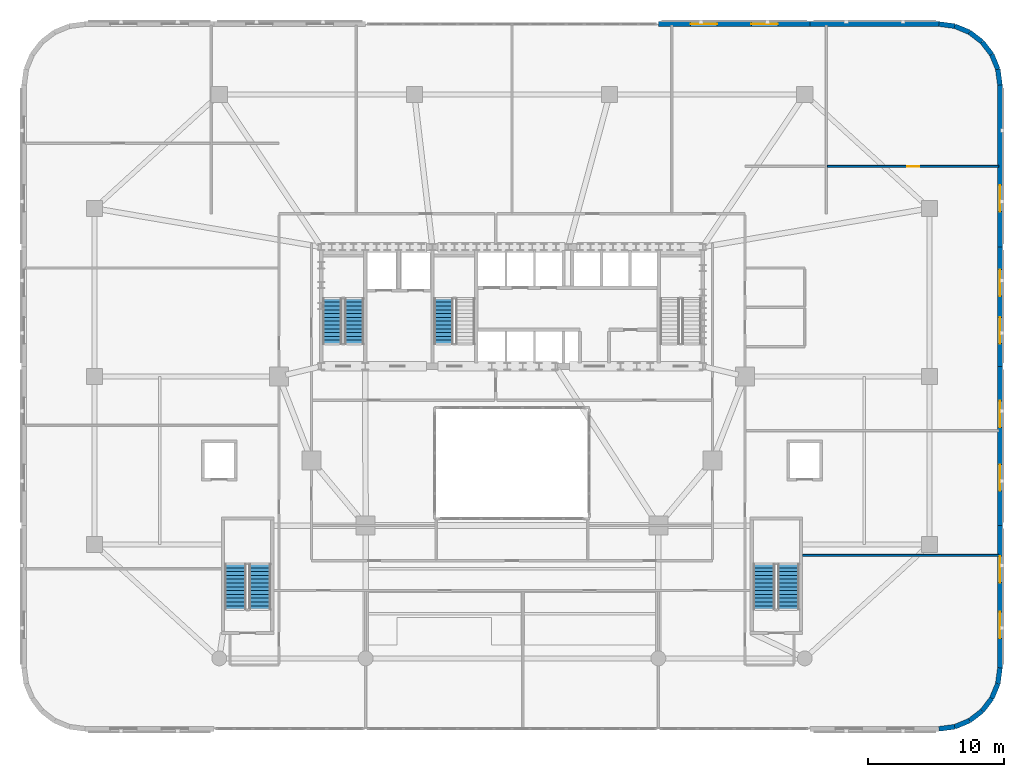
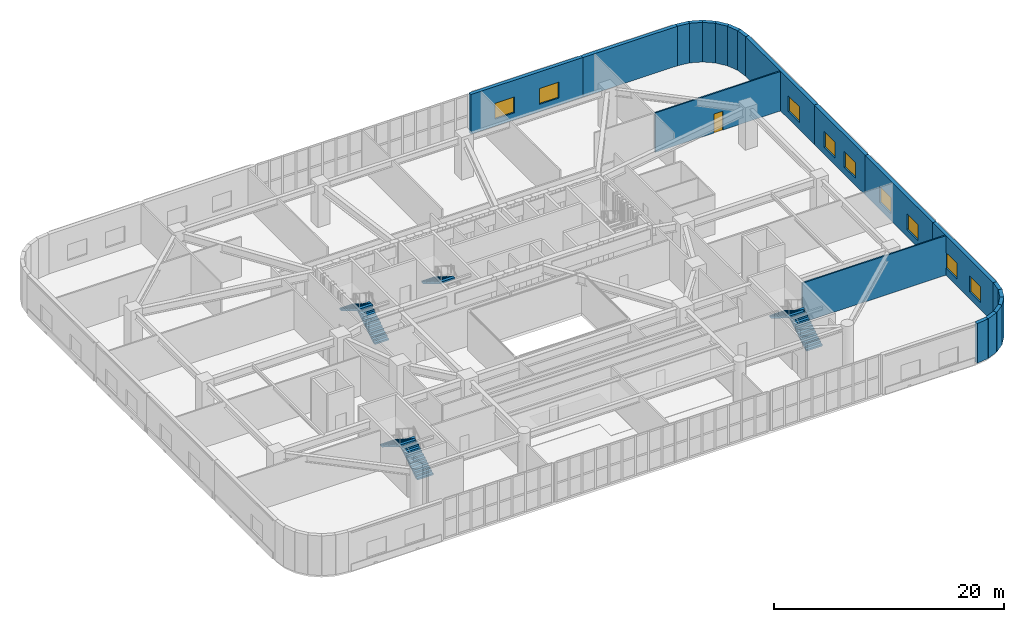
# One storey, part 17 of 25: 20 walls, 9 windows, 7 stair flights, 1 door, 10 openings, 4 elements without a shape of their own.
"""IFC4 building model written with IfcOpenShell, lengths in metres."""

import ifcopenshell
import ifcopenshell.guid

model = None  # the IFC model being written
_history = None  # IfcOwnerHistory: only IFC2X3 demands one
_inside = {}  # id of a spatial element -> (the spatial element, [elements in it])
_under = {}  # id of a project, library or spatial element -> (it, [spatial elements below it])
_declared = {}  # id of a project -> (the project, [libraries it declares])
_typed = {}  # id of a type object -> (the type object, [elements of that type])
_made_of = {}  # id of a material, layer set ... -> (it, [elements and type objects made of it])


def new_model(schema):
    """Start an empty IFC model of exactly this schema.

    Asked for "IFC4X3", IfcOpenShell would pick the latest addendum, in which some entities
    have other attributes; the version numbers below select the first issue.
    IFC2X3 requires an IfcOwnerHistory on every rooted entity: one is made here for all.
    """
    global model, _history
    if schema == "IFC4X3":
        model = ifcopenshell.file(schema_version=(4, 3, 0, 0))
    else:
        model = ifcopenshell.file(schema=schema)
    _inside.clear()
    _under.clear()
    _declared.clear()
    _typed.clear()
    _made_of.clear()
    _history = None
    if model.schema == "IFC2X3":
        org = make("IfcOrganization", Name="unknown")
        user = make(
            "IfcPersonAndOrganization",
            ThePerson=make("IfcPerson", FamilyName="unknown"),
            TheOrganization=org,
        )
        app = make(
            "IfcApplication",
            ApplicationDeveloper=org,
            Version="unknown",
            ApplicationFullName="unknown",
            ApplicationIdentifier="unknown",
        )
        _history = make(
            "IfcOwnerHistory",
            OwningUser=user,
            OwningApplication=app,
            ChangeAction="ADDED",
            CreationDate=0,
        )
    return model


def make(cls, **values):
    """One entity of the class cls with the attributes given. An attribute that is None is left unset."""
    return model.create_entity(
        cls, **{name: value for name, value in values.items() if value is not None}
    )


def rooted(cls, **values):
    """An entity with a GlobalId (a new one), such as an element, a storey or a relation."""
    return make(cls, GlobalId=ifcopenshell.guid.new(), OwnerHistory=_history, **values)


def si_unit(unit_type, name, prefix=None):
    """IfcSIUnit, for example si_unit("LENGTHUNIT", "METRE", prefix="MILLI")."""
    return make("IfcSIUnit", UnitType=unit_type, Prefix=prefix, Name=name)


def assignment(units):
    """IfcUnitAssignment: the units of a project."""
    return None if units is None else make("IfcUnitAssignment", Units=units)


def point(xyz):
    """IfcCartesianPoint."""
    return None if xyz is None else make("IfcCartesianPoint", Coordinates=xyz)


def direction(xyz):
    """IfcDirection."""
    return None if xyz is None else make("IfcDirection", DirectionRatios=xyz)


def frame(location, z_axis=None, x_axis=None):
    """IfcAxis2Placement3D, a coordinate frame: its origin and axes. An axis left out is left unset."""
    return make(
        "IfcAxis2Placement3D",
        Location=point(location),
        Axis=direction(z_axis),
        RefDirection=direction(x_axis),
    )


def frame_2d(location, x_axis=None):
    """IfcAxis2Placement2D, a coordinate frame in the plane: its origin and x axis."""
    return make(
        "IfcAxis2Placement2D", Location=point(location), RefDirection=direction(x_axis)
    )


def origin():
    """The frame at (0, 0, 0) with its axes left unset."""
    return frame((0.0, 0.0, 0.0))


def place(relative_to, where):
    """IfcLocalPlacement: puts the frame where relative to a parent placement (None: the world)."""
    return make(
        "IfcLocalPlacement", PlacementRelTo=relative_to, RelativePlacement=where
    )


def context(
    kind, dimensions, precision=None, world=None, true_north=None, identifier=None
):
    """IfcGeometricRepresentationContext, for example the 3D "Model" context."""
    return make(
        "IfcGeometricRepresentationContext",
        ContextIdentifier=identifier,
        ContextType=kind,
        CoordinateSpaceDimension=dimensions,
        Precision=precision,
        WorldCoordinateSystem=world,
        TrueNorth=true_north,
    )


def subcontext(parent, identifier, kind, view, scale=None):
    """IfcGeometricRepresentationSubContext, for example "Body" below "Model"."""
    return make(
        "IfcGeometricRepresentationSubContext",
        ContextIdentifier=identifier,
        ContextType=kind,
        ParentContext=parent,
        TargetScale=scale,
        TargetView=view,
    )


def project(units=None, contexts=None):
    """IfcProject with its units and contexts."""
    return rooted(
        "IfcProject",
        Name="project",
        RepresentationContexts=contexts,
        UnitsInContext=assignment(units),
    )


def spatial(cls, under=None, at=None, **own):
    """A site, building, storey or space (cls), placed at a placement, below another one or the project."""
    s = rooted(cls, ObjectPlacement=at, **own)
    if under is not None:
        _under.setdefault(under.id(), (under, []))[1].append(s)
    return s


def polyline(points):
    """IfcPolyline through the points."""
    return make("IfcPolyline", Points=[point(p) for p in points])


def profile(cls, at=None, kind="AREA", **sizes):
    """A parametric profile (cls). Its sizes go by their IFC names, for example OverallWidth=200.0."""
    return make(cls, ProfileType=kind, Position=at, **sizes)


def rectangle(**sizes):
    """IfcRectangleProfileDef."""
    return profile("IfcRectangleProfileDef", **sizes)


def outline(outer, holes=None, kind="AREA"):
    """IfcArbitraryClosedProfileDef: a profile drawn as a closed curve; with holes, ...WithVoids."""
    if holes is None:
        return make("IfcArbitraryClosedProfileDef", ProfileType=kind, OuterCurve=outer)
    return make(
        "IfcArbitraryProfileDefWithVoids",
        ProfileType=kind,
        OuterCurve=outer,
        InnerCurves=holes,
    )


def extrude(swept, where, along, depth):
    """IfcExtrudedAreaSolid: the profile swept, set in the frame where, extruded along a direction by depth."""
    return make(
        "IfcExtrudedAreaSolid",
        SweptArea=swept,
        Position=where,
        ExtrudedDirection=direction(along),
        Depth=depth,
    )


def shape(context_of_items, identifier, shape_type, items):
    """IfcShapeRepresentation: the items that make up one representation, for example the "Body"."""
    return make(
        "IfcShapeRepresentation",
        ContextOfItems=context_of_items,
        RepresentationIdentifier=identifier,
        RepresentationType=shape_type,
        Items=items,
    )


def material(Name=None, Category=None):
    """IfcMaterial."""
    return make("IfcMaterial", Name=Name, Category=Category)


def layer(
    of_material, thickness, ventilated=None, Name=None, Category=None, Priority=None
):
    """IfcMaterialLayer: one layer of a wall or slab, of a material (None: an air gap)."""
    return make(
        "IfcMaterialLayer",
        Material=of_material,
        LayerThickness=thickness,
        IsVentilated=ventilated,
        Name=Name,
        Category=Category,
        Priority=Priority,
    )


def layer_set(layers, Name=None):
    """IfcMaterialLayerSet."""
    return make("IfcMaterialLayerSet", MaterialLayers=layers, LayerSetName=Name)


def made_of(thing, what):
    """Note that an element or type object is made of a material, layer set ...; save() writes the relation."""
    if what is not None:
        _made_of.setdefault(what.id(), (what, []))[1].append(thing)
    return thing


def type_object(cls, material=None, **own):
    """A type object (cls), such as IfcWallType, which elements share."""
    return made_of(rooted(cls, **own), material)


def element(
    cls,
    number,
    at=None,
    inside=None,
    cuts=None,
    type_object=None,
    material=None,
    context=None,
    identifier="Body",
    shape_type=None,
    held_by="IfcProductDefinitionShape",
    body=None,
    shapes=None,
    **own,
):
    """One element of the class cls, such as IfcWall. Its Tag is "e" and its number.

    at: its placement. inside: the storey or other place that contains it. cuts: it is an
    opening in that element (IfcRelVoidsElement). A single representation is given by context,
    identifier, shape_type and body (its items); several are given by shapes. held_by: the class
    of the entity that holds the representations. save() writes the other relations.
    """
    e = rooted(cls, Tag="e%d" % number, ObjectPlacement=at, **own)
    if body is not None:
        shapes = [shape(context, identifier, shape_type, body)]
    if shapes is not None:
        e.Representation = make(held_by, Representations=shapes)
    if inside is not None:
        _inside.setdefault(inside.id(), (inside, []))[1].append(e)
    if cuts is not None:
        rooted(
            "IfcRelVoidsElement", RelatingBuildingElement=cuts, RelatedOpeningElement=e
        )
    if type_object is not None:
        _typed.setdefault(type_object.id(), (type_object, []))[1].append(e)
    return made_of(e, material)


def fill(opening, filler):
    """IfcRelFillsElement: the door or window that sits in an opening."""
    return rooted(
        "IfcRelFillsElement",
        RelatingOpeningElement=opening,
        RelatedBuildingElement=filler,
    )


def aggregate(whole, parts):
    """IfcRelAggregates: a whole, such as a stair, and the parts it consists of."""
    return rooted("IfcRelAggregates", RelatingObject=whole, RelatedObjects=parts)


def save(model, path):
    """Write the relations noted so far, then the file.

    IfcRelAggregates (storeys below a building ...), IfcRelContainedInSpatialStructure (elements
    in a storey), IfcRelDefinesByType, IfcRelAssociatesMaterial and IfcRelDeclares: one each for
    every whole, place, type object, material and project.
    """
    for whole, parts in _under.values():
        aggregate(whole, parts)
    for where, things in _inside.values():
        rooted(
            "IfcRelContainedInSpatialStructure",
            RelatedElements=things,
            RelatingStructure=where,
        )
    for kind, things in _typed.values():
        rooted("IfcRelDefinesByType", RelatedObjects=things, RelatingType=kind)
    for what, things in _made_of.values():
        rooted("IfcRelAssociatesMaterial", RelatedObjects=things, RelatingMaterial=what)
    for by, libraries in _declared.values():
        rooted("IfcRelDeclares", RelatingContext=by, RelatedDefinitions=libraries)
    model.write(path)


model = new_model("IFC4")

# Units and contexts
model_context = context("Model", 3, precision=1e-05, world=origin(), true_north=direction((0.0, 1.0)))
body_context = subcontext(model_context, "Body", "Model", "MODEL_VIEW")
ifc_project = project(units=[si_unit("LENGTHUNIT", "METRE"), si_unit("AREAUNIT", "SQUARE_METRE"), si_unit("VOLUMEUNIT", "CUBIC_METRE"), si_unit("PLANEANGLEUNIT", "RADIAN"), si_unit("MASSUNIT", "GRAM", prefix="KILO")], contexts=[model_context])

# Site, building, storey
site_placement = place(None, origin())
site = spatial("IfcSite", under=ifc_project, at=site_placement, CompositionType="ELEMENT")
building_placement = place(site_placement, origin())
building = spatial("IfcBuilding", under=site, at=building_placement, Name="Haldorwick Loom Tower", CompositionType="ELEMENT")
storey_placement = place(building_placement, frame((0.0, 0.0, 10.5)))
storey = spatial("IfcBuildingStorey", under=building, at=storey_placement, Name="L02", CompositionType="ELEMENT", Elevation=10.5)

# Walls
ifc_material_1 = material(Name="Pressed Clay Face Brick and Insulated Masonry Backup Assembly", Category="masonry")
ifc_layer_1 = layer(ifc_material_1, 0.360107421875, Name="Pressed Clay Face Brick and Insulated Masonry Backup Assembly", Category="masonry")
ifc_layer_set_1 = layer_set([ifc_layer_1], Name="Pressed Clay Face Brick and Insulated Masonry Backup Assembly")
wall_type_1 = type_object("IfcWallType", Name="ARC-WL-EXT360", PredefinedType="STANDARD", material=ifc_layer_set_1)
wall_1_placement = place(storey_placement, frame((67.5, 0.0, 0.0), z_axis=(0.0, 0.0, 1.0), x_axis=(0.991447928588, 0.130502892298, 0.0)))
element("IfcWall", 1, at=wall_1_placement, inside=storey, type_object=wall_type_1, Name="L02 Brick Pier and Spandrel Wall 1", PredefinedType="STANDARD", context=body_context, shape_type="SweptSolid", body=[
    extrude(rectangle(XDim=1.1748046875, YDim=0.360107421875, at=frame_2d((0.58740234375, 0.0))), origin(), (0.0, 0.0, 1.0), 4.199951171875),
])
wall_2_placement = place(storey_placement, frame((68.664794921875, 0.1533203125, 0.0), z_axis=(0.0, 0.0, 1.0), x_axis=(0.923892706888, 0.382651625058, 0.0)))
element("IfcWall", 2, at=wall_2_placement, inside=storey, type_object=wall_type_1, Name="L02 Brick Pier and Spandrel Wall 2", PredefinedType="STANDARD", context=body_context, shape_type="SweptSolid", body=[
    extrude(rectangle(XDim=1.174560546875, YDim=0.360107421875, at=frame_2d((0.58740234375, 0.0))), origin(), (0.0, 0.0, 1.0), 4.199951171875),
])
for number, where, z_axis, x_axis, name in (
    (3, (69.75, 0.602783203125, 0.0), (0.0, 0.0, 1.0), (0.79324162823, 0.60890698735, 0.0), "L02 Brick Pier and Spandrel Wall 3"),
    (4, (70.681884765625, 1.318115234375, 0.0), (0.0, 0.0, 1.0), (0.60890698735, 0.79324162823, 0.0), "L02 Brick Pier and Spandrel Wall 4"),
):
    element("IfcWall", number, at=place(storey_placement, frame(where, z_axis=z_axis, x_axis=x_axis)), inside=storey, type_object=wall_type_1, Name=name, PredefinedType="STANDARD", context=body_context, shape_type="SweptSolid", body=[
        extrude(rectangle(XDim=1.1748046875, YDim=0.360107421875, at=frame_2d((0.58740234375, 0.0))), origin(), (0.0, 0.0, 1.0), 4.199951171875),
    ])
wall_3_placement = place(storey_placement, frame((71.397216796875, 2.25, 0.0), z_axis=(0.0, 0.0, 1.0), x_axis=(0.382651625058, 0.923892706888, 0.0)))
element("IfcWall", 5, at=wall_3_placement, inside=storey, type_object=wall_type_1, Name="L02 Brick Pier and Spandrel Wall 5", PredefinedType="STANDARD", context=body_context, shape_type="SweptSolid", body=[
    extrude(rectangle(XDim=1.174560546875, YDim=0.360107421875, at=frame_2d((0.58740234375, 0.0))), origin(), (0.0, 0.0, 1.0), 4.199951171875),
])
wall_4_placement = place(storey_placement, frame((71.8466796875, 3.335205078125, 0.0), z_axis=(0.0, 0.0, 1.0), x_axis=(0.130502892298, 0.991447928588, 0.0)))
element("IfcWall", 6, at=wall_4_placement, inside=storey, type_object=wall_type_1, Name="L02 Brick Pier and Spandrel Wall 6", PredefinedType="STANDARD", context=body_context, shape_type="SweptSolid", body=[
    extrude(rectangle(XDim=1.1748046875, YDim=0.360107421875, at=frame_2d((0.58740234375, 0.0))), origin(), (0.0, 0.0, 1.0), 4.199951171875),
])

# Wall, openings, windows
wall_5_placement = place(storey_placement, frame((72.0, 4.5, 0.0), z_axis=(0.0, 0.0, 1.0), x_axis=(0.0, 1.0, 0.0)))
wall_5 = element("IfcWall", 7, at=wall_5_placement, inside=storey, type_object=wall_type_1, Name="L02 Brick Pier and Spandrel Wall 7", PredefinedType="STANDARD", context=body_context, shape_type="SweptSolid", body=[
    extrude(rectangle(XDim=10.5, YDim=0.360107421875, at=frame_2d((5.25, 0.0))), origin(), (0.0, 0.0, 1.0), 4.199951171875),
])
opening_1_placement = place(wall_5_placement, frame((2.175048828125, 0.0, 0.75)))
opening_1 = element("IfcOpeningElement", 8, at=opening_1_placement, cuts=wall_5, Name="Opening W-04B", PredefinedType="OPENING", context=body_context, shape_type="SweptSolid", body=[
    extrude(rectangle(XDim=1.949951171875, YDim=1.679931640625, at=frame_2d((0.97509765625, 0.83984375))), frame((0.0, 0.18994140625, 0.0), z_axis=(0.0, -1.0, 0.0), x_axis=(1.0, 0.0, 0.0)), (0.0, 0.0, 1.0), 0.380126953125),
])
opening_2_placement = place(wall_5_placement, frame((6.28759765625, 0.0, 0.75)))
opening_2 = element("IfcOpeningElement", 9, at=opening_2_placement, cuts=wall_5, Name="Opening W-04B", PredefinedType="OPENING", context=body_context, shape_type="SweptSolid", body=[
    extrude(rectangle(XDim=1.949951171875, YDim=1.679931640625, at=frame_2d((0.97509765625, 0.83984375))), frame((0.0, 0.18994140625, 0.0), z_axis=(0.0, -1.0, 0.0), x_axis=(1.0, 0.0, 0.0)), (0.0, 0.0, 1.0), 0.380126953125),
])
ifc_material_2 = material(Name="Triple-Glazed Low-E Argon Insulated Glazing Unit", Category="glass")
window_type = type_object("IfcWindowType", Name="ARC-WIN-W195", PartitioningType="SINGLE_PANEL", PredefinedType="WINDOW", material=ifc_material_2)
window_1_placement = place(opening_1_placement, origin())
window_1 = element("IfcWindow", 10, at=window_1_placement, inside=storey, type_object=window_type, Name="L02 Deep-Set Zone 7A Window 7", OverallHeight=1.679931640625, OverallWidth=1.949951171875, PartitioningType="SINGLE_PANEL", PredefinedType="WINDOW", context=body_context, shape_type="SweptSolid", body=[
    extrude(rectangle(XDim=1.949951171875, YDim=1.679931640625, at=frame_2d((0.97509765625, 0.83984375))), frame((0.0, 0.030029296875, 0.0), z_axis=(0.0, -1.0, 0.0), x_axis=(1.0, 0.0, 0.0)), (0.0, 0.0, 1.0), 0.06005859375),
])
fill(opening_1, window_1)
window_2_placement = place(opening_2_placement, origin())
window_2 = element("IfcWindow", 11, at=window_2_placement, inside=storey, type_object=window_type, Name="L02 Deep-Set Zone 7A Window 7", OverallHeight=1.679931640625, OverallWidth=1.949951171875, PartitioningType="SINGLE_PANEL", PredefinedType="WINDOW", context=body_context, shape_type="SweptSolid", body=[
    extrude(rectangle(XDim=1.949951171875, YDim=1.679931640625, at=frame_2d((0.97509765625, 0.83984375))), frame((0.0, 0.030029296875, 0.0), z_axis=(0.0, -1.0, 0.0), x_axis=(1.0, 0.0, 0.0)), (0.0, 0.0, 1.0), 0.06005859375),
])
fill(opening_2, window_2)

wall_6_placement = place(storey_placement, frame((72.0, 15.0, 0.0), z_axis=(0.0, 0.0, 1.0), x_axis=(0.0, 1.0, 0.0)))
wall_6 = element("IfcWall", 12, at=wall_6_placement, inside=storey, type_object=wall_type_1, Name="L02 Brick Pier and Spandrel Wall 8", PredefinedType="STANDARD", context=body_context, shape_type="SweptSolid", body=[
    extrude(rectangle(XDim=11.75, YDim=0.360107421875, at=frame_2d((5.875, 0.0))), origin(), (0.0, 0.0, 1.0), 4.199951171875),
])
opening_3_placement = place(wall_6_placement, frame((2.550048828125, 0.0, 0.75)))
opening_3 = element("IfcOpeningElement", 13, at=opening_3_placement, cuts=wall_6, Name="Opening W-04B", PredefinedType="OPENING", context=body_context, shape_type="SweptSolid", body=[
    extrude(rectangle(XDim=1.949951171875, YDim=1.679931640625, at=frame_2d((0.97509765625, 0.83984375))), frame((0.0, 0.18994140625, 0.0), z_axis=(0.0, -1.0, 0.0), x_axis=(1.0, 0.0, 0.0)), (0.0, 0.0, 1.0), 0.380126953125),
])
opening_4_placement = place(wall_6_placement, frame((7.25, 0.0, 0.75)))
opening_4 = element("IfcOpeningElement", 14, at=opening_4_placement, cuts=wall_6, Name="Opening W-04B", PredefinedType="OPENING", context=body_context, shape_type="SweptSolid", body=[
    extrude(rectangle(XDim=1.949951171875, YDim=1.679931640625, at=frame_2d((0.97509765625, 0.83984375))), frame((0.0, 0.18994140625, 0.0), z_axis=(0.0, -1.0, 0.0), x_axis=(1.0, 0.0, 0.0)), (0.0, 0.0, 1.0), 0.380126953125),
])
window_3_placement = place(opening_3_placement, origin())
window_3 = element("IfcWindow", 15, at=window_3_placement, inside=storey, type_object=window_type, Name="L02 Deep-Set Zone 7A Window 8", OverallHeight=1.679931640625, OverallWidth=1.949951171875, PartitioningType="SINGLE_PANEL", PredefinedType="WINDOW", context=body_context, shape_type="SweptSolid", body=[
    extrude(rectangle(XDim=1.949951171875, YDim=1.679931640625, at=frame_2d((0.97509765625, 0.83984375))), frame((0.0, 0.030029296875, 0.0), z_axis=(0.0, -1.0, 0.0), x_axis=(1.0, 0.0, 0.0)), (0.0, 0.0, 1.0), 0.06005859375),
])
fill(opening_3, window_3)
window_4_placement = place(opening_4_placement, origin())
window_4 = element("IfcWindow", 16, at=window_4_placement, inside=storey, type_object=window_type, Name="L02 Deep-Set Zone 7A Window 8", OverallHeight=1.679931640625, OverallWidth=1.949951171875, PartitioningType="SINGLE_PANEL", PredefinedType="WINDOW", context=body_context, shape_type="SweptSolid", body=[
    extrude(rectangle(XDim=1.949951171875, YDim=1.679931640625, at=frame_2d((0.97509765625, 0.83984375))), frame((0.0, 0.030029296875, 0.0), z_axis=(0.0, -1.0, 0.0), x_axis=(1.0, 0.0, 0.0)), (0.0, 0.0, 1.0), 0.06005859375),
])
fill(opening_4, window_4)

wall_7_placement = place(storey_placement, frame((72.0, 26.75, 0.0), z_axis=(0.0, 0.0, 1.0), x_axis=(0.0, 1.0, 0.0)))
wall_7 = element("IfcWall", 17, at=wall_7_placement, inside=storey, type_object=wall_type_1, Name="L02 Brick Pier and Spandrel Wall 9", PredefinedType="STANDARD", context=body_context, shape_type="SweptSolid", body=[
    extrude(rectangle(XDim=8.800048828125, YDim=0.360107421875, at=frame_2d((4.39990234375, 0.0))), origin(), (0.0, 0.0, 1.0), 4.199951171875),
])
opening_5_placement = place(wall_7_placement, frame((1.6650390625, 0.0, 0.75)))
opening_5 = element("IfcOpeningElement", 18, at=opening_5_placement, cuts=wall_7, Name="Opening W-04B", PredefinedType="OPENING", context=body_context, shape_type="SweptSolid", body=[
    extrude(rectangle(XDim=1.949951171875, YDim=1.679931640625, at=frame_2d((0.97509765625, 0.83984375))), frame((0.0, 0.18994140625, 0.0), z_axis=(0.0, -1.0, 0.0), x_axis=(1.0, 0.0, 0.0)), (0.0, 0.0, 1.0), 0.380126953125),
])
opening_6_placement = place(wall_7_placement, frame((5.18505859375, 0.0, 0.75)))
opening_6 = element("IfcOpeningElement", 19, at=opening_6_placement, cuts=wall_7, Name="Opening W-04B", PredefinedType="OPENING", context=body_context, shape_type="SweptSolid", body=[
    extrude(rectangle(XDim=1.949951171875, YDim=1.679931640625, at=frame_2d((0.97509765625, 0.83984375))), frame((0.0, 0.18994140625, 0.0), z_axis=(0.0, -1.0, 0.0), x_axis=(1.0, 0.0, 0.0)), (0.0, 0.0, 1.0), 0.380126953125),
])
window_5_placement = place(opening_5_placement, origin())
window_5 = element("IfcWindow", 20, at=window_5_placement, inside=storey, type_object=window_type, Name="L02 Deep-Set Zone 7A Window 9", OverallHeight=1.679931640625, OverallWidth=1.949951171875, PartitioningType="SINGLE_PANEL", PredefinedType="WINDOW", context=body_context, shape_type="SweptSolid", body=[
    extrude(rectangle(XDim=1.949951171875, YDim=1.679931640625, at=frame_2d((0.97509765625, 0.83984375))), frame((0.0, 0.030029296875, 0.0), z_axis=(0.0, -1.0, 0.0), x_axis=(1.0, 0.0, 0.0)), (0.0, 0.0, 1.0), 0.06005859375),
])
fill(opening_5, window_5)
window_6_placement = place(opening_6_placement, origin())
window_6 = element("IfcWindow", 21, at=window_6_placement, inside=storey, type_object=window_type, Name="L02 Deep-Set Zone 7A Window 9", OverallHeight=1.679931640625, OverallWidth=1.949951171875, PartitioningType="SINGLE_PANEL", PredefinedType="WINDOW", context=body_context, shape_type="SweptSolid", body=[
    extrude(rectangle(XDim=1.949951171875, YDim=1.679931640625, at=frame_2d((0.97509765625, 0.83984375))), frame((0.0, 0.030029296875, 0.0), z_axis=(0.0, -1.0, 0.0), x_axis=(1.0, 0.0, 0.0)), (0.0, 0.0, 1.0), 0.06005859375),
])
fill(opening_6, window_6)

# Wall, opening, window
wall_8_placement = place(storey_placement, frame((72.0, 35.550048828125, 0.0), z_axis=(0.0, 0.0, 1.0), x_axis=(0.0, 1.0, 0.0)))
wall_8 = element("IfcWall", 22, at=wall_8_placement, inside=storey, type_object=wall_type_1, Name="L02 Brick Pier and Spandrel Wall 10", PredefinedType="STANDARD", context=body_context, shape_type="SweptSolid", body=[
    extrude(rectangle(XDim=11.949951171875, YDim=0.360107421875, at=frame_2d((5.97509765625, 0.0))), origin(), (0.0, 0.0, 1.0), 4.199951171875),
])
opening_7_placement = place(wall_8_placement, frame((2.610107421875, 0.0, 0.75)))
opening_7 = element("IfcOpeningElement", 23, at=opening_7_placement, cuts=wall_8, Name="Opening W-04B", PredefinedType="OPENING", context=body_context, shape_type="SweptSolid", body=[
    extrude(rectangle(XDim=1.949951171875, YDim=1.679931640625, at=frame_2d((0.97509765625, 0.83984375))), frame((0.0, 0.18994140625, 0.0), z_axis=(0.0, -1.0, 0.0), x_axis=(1.0, 0.0, 0.0)), (0.0, 0.0, 1.0), 0.380126953125),
])
window_7_placement = place(opening_7_placement, origin())
window_7 = element("IfcWindow", 24, at=window_7_placement, inside=storey, type_object=window_type, Name="L02 Deep-Set Zone 7A Window 10", OverallHeight=1.679931640625, OverallWidth=1.949951171875, PartitioningType="SINGLE_PANEL", PredefinedType="WINDOW", context=body_context, shape_type="SweptSolid", body=[
    extrude(rectangle(XDim=1.949951171875, YDim=1.679931640625, at=frame_2d((0.97509765625, 0.83984375))), frame((0.0, 0.030029296875, 0.0), z_axis=(0.0, -1.0, 0.0), x_axis=(1.0, 0.0, 0.0)), (0.0, 0.0, 1.0), 0.06005859375),
])
fill(opening_7, window_7)

# Walls
wall_9_placement = place(storey_placement, frame((72.0, 47.5, 0.0), z_axis=(0.0, 0.0, 1.0), x_axis=(-0.130502892298, 0.991447928588, 0.0)))
element("IfcWall", 25, at=wall_9_placement, inside=storey, type_object=wall_type_1, Name="L02 Brick Pier and Spandrel Wall 11", PredefinedType="STANDARD", context=body_context, shape_type="SweptSolid", body=[
    extrude(rectangle(XDim=1.1748046875, YDim=0.360107421875, at=frame_2d((0.58740234375, 0.0))), origin(), (0.0, 0.0, 1.0), 4.199951171875),
])
wall_10_placement = place(storey_placement, frame((71.8466796875, 48.664794921875, 0.0), z_axis=(0.0, 0.0, 1.0), x_axis=(-0.382651625058, 0.923892706888, 0.0)))
element("IfcWall", 26, at=wall_10_placement, inside=storey, type_object=wall_type_1, Name="L02 Brick Pier and Spandrel Wall 12", PredefinedType="STANDARD", context=body_context, shape_type="SweptSolid", body=[
    extrude(rectangle(XDim=1.174560546875, YDim=0.360107421875, at=frame_2d((0.58740234375, 0.0))), origin(), (0.0, 0.0, 1.0), 4.199951171875),
])
for number, where, z_axis, x_axis, name in (
    (27, (71.397216796875, 49.75, 0.0), (0.0, 0.0, 1.0), (-0.60890698735, 0.79324162823, 0.0), "L02 Brick Pier and Spandrel Wall 13"),
    (28, (70.681884765625, 50.681884765625, 0.0), (0.0, 0.0, 1.0), (-0.79324162823, 0.60890698735, 0.0), "L02 Brick Pier and Spandrel Wall 14"),
):
    element("IfcWall", number, at=place(storey_placement, frame(where, z_axis=z_axis, x_axis=x_axis)), inside=storey, type_object=wall_type_1, Name=name, PredefinedType="STANDARD", context=body_context, shape_type="SweptSolid", body=[
        extrude(rectangle(XDim=1.1748046875, YDim=0.360107421875, at=frame_2d((0.58740234375, 0.0))), origin(), (0.0, 0.0, 1.0), 4.199951171875),
    ])
wall_11_placement = place(storey_placement, frame((69.75, 51.397216796875, 0.0), z_axis=(0.0, 0.0, 1.0), x_axis=(-0.923892706888, 0.382651625058, 0.0)))
element("IfcWall", 29, at=wall_11_placement, inside=storey, type_object=wall_type_1, Name="L02 Brick Pier and Spandrel Wall 15", PredefinedType="STANDARD", context=body_context, shape_type="SweptSolid", body=[
    extrude(rectangle(XDim=1.174560546875, YDim=0.360107421875, at=frame_2d((0.58740234375, 0.0))), origin(), (0.0, 0.0, 1.0), 4.199951171875),
])
wall_12_placement = place(storey_placement, frame((68.664794921875, 51.8466796875, 0.0), z_axis=(0.0, 0.0, 1.0), x_axis=(-0.991447928588, 0.130502892298, 0.0)))
element("IfcWall", 30, at=wall_12_placement, inside=storey, type_object=wall_type_1, Name="L02 Brick Pier and Spandrel Wall 16", PredefinedType="STANDARD", context=body_context, shape_type="SweptSolid", body=[
    extrude(rectangle(XDim=1.1748046875, YDim=0.360107421875, at=frame_2d((0.58740234375, 0.0))), origin(), (0.0, 0.0, 1.0), 4.199951171875),
])
wall_13_placement = place(storey_placement, frame((67.5, 52.0, 0.0), z_axis=(0.0, 0.0, 1.0), x_axis=(-1.0, 0.0, 0.0)))
element("IfcWall", 31, at=wall_13_placement, inside=storey, type_object=wall_type_1, Name="L02 Brick Pier and Spandrel Wall 17", PredefinedType="STANDARD", context=body_context, shape_type="SweptSolid", body=[
    extrude(rectangle(XDim=9.5, YDim=0.360107421875, at=frame_2d((4.75, 0.0))), origin(), (0.0, 0.0, 1.0), 4.199951171875),
])

# Wall, openings, windows
wall_14_placement = place(storey_placement, frame((58.0, 52.0, 0.0), z_axis=(0.0, 0.0, 1.0), x_axis=(-1.0, 0.0, 0.0)))
wall_14 = element("IfcWall", 32, at=wall_14_placement, inside=storey, type_object=wall_type_1, Name="L02 Brick Pier and Spandrel Wall 18", PredefinedType="STANDARD", context=body_context, shape_type="SweptSolid", body=[
    extrude(rectangle(XDim=11.199951171875, YDim=0.360107421875, at=frame_2d((5.60009765625, 0.0))), origin(), (0.0, 0.0, 1.0), 4.199951171875),
])
opening_8_placement = place(wall_14_placement, frame((2.385009765625, 0.0, 0.75)))
opening_8 = element("IfcOpeningElement", 33, at=opening_8_placement, cuts=wall_14, Name="Opening W-04B", PredefinedType="OPENING", context=body_context, shape_type="SweptSolid", body=[
    extrude(rectangle(XDim=1.949951171875, YDim=1.679931640625, at=frame_2d((0.97509765625, 0.83984375))), frame((0.0, 0.18994140625, 0.0), z_axis=(0.0, -1.0, 0.0), x_axis=(1.0, 0.0, 0.0)), (0.0, 0.0, 1.0), 0.380126953125),
])
opening_9_placement = place(wall_14_placement, frame((6.864990234375, 0.0, 0.75)))
opening_9 = element("IfcOpeningElement", 34, at=opening_9_placement, cuts=wall_14, Name="Opening W-04B", PredefinedType="OPENING", context=body_context, shape_type="SweptSolid", body=[
    extrude(rectangle(XDim=1.949951171875, YDim=1.679931640625, at=frame_2d((0.97509765625, 0.83984375))), frame((0.0, 0.18994140625, 0.0), z_axis=(0.0, -1.0, 0.0), x_axis=(1.0, 0.0, 0.0)), (0.0, 0.0, 1.0), 0.380126953125),
])
window_8_placement = place(opening_8_placement, origin())
window_8 = element("IfcWindow", 35, at=window_8_placement, inside=storey, type_object=window_type, Name="L02 Deep-Set Zone 7A Window 18", OverallHeight=1.679931640625, OverallWidth=1.949951171875, PartitioningType="SINGLE_PANEL", PredefinedType="WINDOW", context=body_context, shape_type="SweptSolid", body=[
    extrude(rectangle(XDim=1.949951171875, YDim=1.679931640625, at=frame_2d((0.97509765625, 0.83984375))), frame((0.0, 0.030029296875, 0.0), z_axis=(0.0, -1.0, 0.0), x_axis=(1.0, 0.0, 0.0)), (0.0, 0.0, 1.0), 0.06005859375),
])
fill(opening_8, window_8)
window_9_placement = place(opening_9_placement, origin())
window_9 = element("IfcWindow", 36, at=window_9_placement, inside=storey, type_object=window_type, Name="L02 Deep-Set Zone 7A Window 18", OverallHeight=1.679931640625, OverallWidth=1.949951171875, PartitioningType="SINGLE_PANEL", PredefinedType="WINDOW", context=body_context, shape_type="SweptSolid", body=[
    extrude(rectangle(XDim=1.949951171875, YDim=1.679931640625, at=frame_2d((0.97509765625, 0.83984375))), frame((0.0, 0.030029296875, 0.0), z_axis=(0.0, -1.0, 0.0), x_axis=(1.0, 0.0, 0.0)), (0.0, 0.0, 1.0), 0.06005859375),
])
fill(opening_9, window_9)

# Wall
ifc_material_3 = material(Name="Fire-Rated Type X Gypsum Stud Assembly EI 60")
ifc_layer_2 = layer(ifc_material_3, 0.139892578125, Name="Fire-Rated Type X Gypsum Stud Assembly EI 60")
ifc_layer_set_2 = layer_set([ifc_layer_2], Name="Fire-Rated Type X Gypsum Stud Assembly EI 60")
wall_type_2 = type_object("IfcWallType", Name="ARC-WL-PART140", PredefinedType="PARTITIONING", material=ifc_layer_set_2)
wall_15_placement = place(storey_placement, frame((57.443115234375, 12.800048828125, 0.0), z_axis=(0.0, 0.0, 1.0), x_axis=(1.0, 0.0, 0.0)))
element("IfcWall", 37, at=wall_15_placement, inside=storey, type_object=wall_type_2, Name="L02 Podium Partition L02-PE-0", PredefinedType="PARTITIONING", context=body_context, shape_type="SweptSolid", body=[
    extrude(rectangle(XDim=14.456787109375, YDim=0.139892578125, at=frame_2d((7.228515625, 0.0))), origin(), (0.0, 0.0, 1.0), 4.18505859375),
])

# Wall, opening, door
wall_16_placement = place(storey_placement, frame((59.27294921875, 41.5, 0.0), z_axis=(0.0, 0.0, 1.0), x_axis=(1.0, 0.0, 0.0)))
wall_16 = element("IfcWall", 38, at=wall_16_placement, inside=storey, type_object=wall_type_2, Name="L02 Podium Partition L02-PE-2", PredefinedType="PARTITIONING", context=body_context, shape_type="SweptSolid", body=[
    extrude(rectangle(XDim=12.626953125, YDim=0.139892578125, at=frame_2d((6.3134765625, 0.0))), origin(), (0.0, 0.0, 1.0), 4.18505859375),
])
opening_10_placement = place(wall_16_placement, frame((5.87353515625, 0.0, 0.0)))
opening_10 = element("IfcOpeningElement", 39, at=opening_10_placement, cuts=wall_16, Name="Opening D-FD60A", PredefinedType="OPENING", context=body_context, shape_type="SweptSolid", body=[
    extrude(rectangle(XDim=0.89990234375, YDim=2.0, at=frame_2d((0.449951171875, 1.0))), frame((0.0, 0.079833984375, 0.0), z_axis=(0.0, -1.0, 0.0), x_axis=(1.0, 0.0, 0.0)), (0.0, 0.0, 1.0), 0.159912109375),
])
ifc_material_4 = material(Name="Hollow Steel Fire Door Assembly", Category="steel")
door_type = type_object("IfcDoorType", Name="ARC-DR-FD60-90", OperationType="NOTDEFINED", PredefinedType="DOOR", material=ifc_material_4)
door_placement = place(opening_10_placement, frame((0.89990234375, 0.0, 0.0), z_axis=(0.0, 0.0, 1.0), x_axis=(-1.0, 0.0, 0.0)))
door = element("IfcDoor", 40, at=door_placement, inside=storey, type_object=door_type, Name="L02 Clean Utility Store 24 to Physician Consulting Office 20 Door", OperationType="SINGLE_SWING_RIGHT", OverallHeight=2.0, OverallWidth=0.89990234375, PredefinedType="DOOR", context=body_context, shape_type="SweptSolid", body=[
    extrude(rectangle(XDim=0.89990234375, YDim=2.0, at=frame_2d((0.449951171875, 1.0))), frame((0.0, 0.02490234375, 0.0), z_axis=(0.0, -1.0, 0.0), x_axis=(1.0, 0.0, 0.0)), (0.0, 0.0, 1.0), 0.050048828125),
])
fill(opening_10, door)

# Stair, stair flights
ifc_material_5 = material(Name="Concrete C40 (40 MPa)", Category="concrete")
stair_type_1 = type_object("IfcStairType", Name="STR-STR-CORE", PredefinedType="HALF_TURN_STAIR", material=ifc_material_5)
stair_1_placement = place(storey_placement, origin())
stair_1 = element("IfcStair", 41, at=stair_1_placement, inside=storey, type_object=stair_type_1, Name="L02 Exit Stair ST-01", PredefinedType="HALF_TURN_STAIR")
stair_flight_type_1 = type_object("IfcStairFlightType", Name="STR-STF-1250", PredefinedType="STRAIGHT", material=ifc_material_5)
stair_flight_1_placement = place(storey_placement, frame((24.35009765625, 28.39990234375, 0.0), z_axis=(0.0, 0.0, 1.0), x_axis=(0.0, 1.0, 0.0)))
stair_flight_1 = element("IfcStairFlight", 42, at=stair_flight_1_placement, type_object=stair_flight_type_1, Name="ST-01 flight 1", NumberOfRisers=13, NumberOfTreads=12, PredefinedType="STRAIGHT", RiserHeight=0.173076923, TreadLength=0.28, context=body_context, shape_type="SweptSolid", body=[
    extrude(outline(polyline([(0.0, 0.0), (0.0, 0.173095703125), (0.280029296875, 0.173095703125), (0.280029296875, 0.34619140625), (0.56005859375, 0.34619140625), (0.56005859375, 0.519287109375), (0.840087890625, 0.519287109375), (0.840087890625, 0.6923828125), (1.1201171875, 0.6923828125), (1.1201171875, 0.865478515625), (1.39990234375, 0.865478515625), (1.39990234375, 1.03857421875), (1.679931640625, 1.03857421875), (1.679931640625, 1.21142578125), (1.9599609375, 1.21142578125), (1.9599609375, 1.384521484375), (2.239990234375, 1.384521484375), (2.239990234375, 1.5576171875), (2.52001953125, 1.5576171875), (2.52001953125, 1.730712890625), (2.800048828125, 1.730712890625), (2.800048828125, 1.90380859375), (3.080078125, 1.90380859375), (3.080078125, 2.076904296875), (3.360107421875, 2.076904296875), (3.360107421875, 2.25), (3.360107421875, 1.900634765625), (0.28515625, 0.0), (0.0, 0.0)])), frame((0.0, 0.699951171875, 0.0), z_axis=(0.0, -1.0, 0.0), x_axis=(1.0, 0.0, 0.0)), (0.0, 0.0, 1.0), 1.39990234375),
])
stair_flight_2_placement = place(storey_placement, frame((22.75, 31.760009765625, 2.25), z_axis=(0.0, 0.0, 1.0), x_axis=(0.0, -1.0, 0.0)))
stair_flight_2 = element("IfcStairFlight", 43, at=stair_flight_2_placement, type_object=stair_flight_type_1, Name="ST-01 flight 2", NumberOfRisers=13, NumberOfTreads=12, PredefinedType="STRAIGHT", RiserHeight=0.173076923, TreadLength=0.28, context=body_context, shape_type="SweptSolid", body=[
    extrude(outline(polyline([(0.0, 0.0), (0.0, 0.173095703125), (0.280029296875, 0.173095703125), (0.280029296875, 0.34619140625), (0.56005859375, 0.34619140625), (0.56005859375, 0.519287109375), (0.840087890625, 0.519287109375), (0.840087890625, 0.6923828125), (1.1201171875, 0.6923828125), (1.1201171875, 0.865478515625), (1.39990234375, 0.865478515625), (1.39990234375, 1.03857421875), (1.679931640625, 1.03857421875), (1.679931640625, 1.21142578125), (1.9599609375, 1.21142578125), (1.9599609375, 1.384521484375), (2.239990234375, 1.384521484375), (2.239990234375, 1.5576171875), (2.52001953125, 1.5576171875), (2.52001953125, 1.730712890625), (2.800048828125, 1.730712890625), (2.800048828125, 1.90380859375), (3.080078125, 1.90380859375), (3.080078125, 2.076904296875), (3.360107421875, 2.076904296875), (3.360107421875, 2.25), (3.360107421875, 1.900634765625), (0.28515625, 0.0), (0.0, 0.0)])), frame((0.0, 0.699951171875, 0.0), z_axis=(0.0, -1.0, 0.0), x_axis=(1.0, 0.0, 0.0)), (0.0, 0.0, 1.0), 1.39990234375),
])
aggregate(stair_1, [stair_flight_1, stair_flight_2])

# Stair, stair flight
stair_2_placement = place(storey_placement, origin())
stair_2 = element("IfcStair", 44, at=stair_2_placement, inside=storey, type_object=stair_type_1, Name="L02 Exit Stair ST-03", PredefinedType="HALF_TURN_STAIR")
stair_flight_3_placement = place(storey_placement, frame((30.949951171875, 31.760009765625, 2.25), z_axis=(0.0, 0.0, 1.0), x_axis=(0.0, -1.0, 0.0)))
stair_flight_3 = element("IfcStairFlight", 45, at=stair_flight_3_placement, type_object=stair_flight_type_1, Name="ST-03 flight 2", NumberOfRisers=13, NumberOfTreads=12, PredefinedType="STRAIGHT", RiserHeight=0.173076923, TreadLength=0.28, context=body_context, shape_type="SweptSolid", body=[
    extrude(outline(polyline([(0.0, 0.0), (0.0, 0.173095703125), (0.280029296875, 0.173095703125), (0.280029296875, 0.34619140625), (0.56005859375, 0.34619140625), (0.56005859375, 0.519287109375), (0.840087890625, 0.519287109375), (0.840087890625, 0.6923828125), (1.1201171875, 0.6923828125), (1.1201171875, 0.865478515625), (1.39990234375, 0.865478515625), (1.39990234375, 1.03857421875), (1.679931640625, 1.03857421875), (1.679931640625, 1.21142578125), (1.9599609375, 1.21142578125), (1.9599609375, 1.384521484375), (2.239990234375, 1.384521484375), (2.239990234375, 1.5576171875), (2.52001953125, 1.5576171875), (2.52001953125, 1.730712890625), (2.800048828125, 1.730712890625), (2.800048828125, 1.90380859375), (3.080078125, 1.90380859375), (3.080078125, 2.076904296875), (3.360107421875, 2.076904296875), (3.360107421875, 2.25), (3.360107421875, 1.900634765625), (0.28515625, 0.0), (0.0, 0.0)])), frame((0.0, 0.699951171875, 0.0), z_axis=(0.0, -1.0, 0.0), x_axis=(1.0, 0.0, 0.0)), (0.0, 0.0, 1.0), 1.39990234375),
])
aggregate(stair_2, [stair_flight_3])

# Stair, stair flights
stair_type_2 = type_object("IfcStairType", Name="STR-STR-POD", PredefinedType="HALF_TURN_STAIR", material=ifc_material_5)
stair_3_placement = place(storey_placement, origin())
stair_3 = element("IfcStair", 46, at=stair_3_placement, inside=storey, type_object=stair_type_2, Name="L02 Exit Stair ST-P1", PredefinedType="HALF_TURN_STAIR")
stair_flight_type_2 = type_object("IfcStairFlightType", Name="STR-STF-1450", PredefinedType="STRAIGHT", material=ifc_material_5)
stair_flight_4_placement = place(storey_placement, frame((17.39990234375, 8.800048828125, 0.0), z_axis=(0.0, 0.0, 1.0), x_axis=(0.0, 1.0, 0.0)))
stair_flight_4 = element("IfcStairFlight", 47, at=stair_flight_4_placement, type_object=stair_flight_type_2, Name="ST-P1 flight 1", NumberOfRisers=13, NumberOfTreads=12, PredefinedType="STRAIGHT", RiserHeight=0.173076923, TreadLength=0.28, context=body_context, shape_type="SweptSolid", body=[
    extrude(outline(polyline([(0.0, 0.0), (0.0, 0.173095703125), (0.280029296875, 0.173095703125), (0.280029296875, 0.34619140625), (0.56005859375, 0.34619140625), (0.56005859375, 0.519287109375), (0.840087890625, 0.519287109375), (0.840087890625, 0.6923828125), (1.1201171875, 0.6923828125), (1.1201171875, 0.865478515625), (1.39990234375, 0.865478515625), (1.39990234375, 1.03857421875), (1.679931640625, 1.03857421875), (1.679931640625, 1.21142578125), (1.9599609375, 1.21142578125), (1.9599609375, 1.384521484375), (2.239990234375, 1.384521484375), (2.239990234375, 1.5576171875), (2.52001953125, 1.5576171875), (2.52001953125, 1.730712890625), (2.800048828125, 1.730712890625), (2.800048828125, 1.90380859375), (3.080078125, 1.90380859375), (3.080078125, 2.076904296875), (3.360107421875, 2.076904296875), (3.360107421875, 2.25), (3.360107421875, 1.900634765625), (0.28515625, 0.0), (0.0, 0.0)])), frame((0.0, 0.800048828125, 0.0), z_axis=(0.0, -1.0, 0.0), x_axis=(1.0, 0.0, 0.0)), (0.0, 0.0, 1.0), 1.60009765625),
])
stair_flight_5_placement = place(storey_placement, frame((15.60009765625, 12.159912109375, 2.25), z_axis=(0.0, 0.0, 1.0), x_axis=(0.0, -1.0, 0.0)))
stair_flight_5 = element("IfcStairFlight", 48, at=stair_flight_5_placement, type_object=stair_flight_type_2, Name="ST-P1 flight 2", NumberOfRisers=13, NumberOfTreads=12, PredefinedType="STRAIGHT", RiserHeight=0.173076923, TreadLength=0.28, context=body_context, shape_type="SweptSolid", body=[
    extrude(outline(polyline([(0.0, 0.0), (0.0, 0.173095703125), (0.280029296875, 0.173095703125), (0.280029296875, 0.34619140625), (0.56005859375, 0.34619140625), (0.56005859375, 0.519287109375), (0.840087890625, 0.519287109375), (0.840087890625, 0.6923828125), (1.1201171875, 0.6923828125), (1.1201171875, 0.865478515625), (1.39990234375, 0.865478515625), (1.39990234375, 1.03857421875), (1.679931640625, 1.03857421875), (1.679931640625, 1.21142578125), (1.9599609375, 1.21142578125), (1.9599609375, 1.384521484375), (2.239990234375, 1.384521484375), (2.239990234375, 1.5576171875), (2.52001953125, 1.5576171875), (2.52001953125, 1.730712890625), (2.800048828125, 1.730712890625), (2.800048828125, 1.90380859375), (3.080078125, 1.90380859375), (3.080078125, 2.076904296875), (3.360107421875, 2.076904296875), (3.360107421875, 2.25), (3.360107421875, 1.900634765625), (0.28515625, 0.0), (0.0, 0.0)])), frame((0.0, 0.800048828125, 0.0), z_axis=(0.0, -1.0, 0.0), x_axis=(1.0, 0.0, 0.0)), (0.0, 0.0, 1.0), 1.60009765625),
])
aggregate(stair_3, [stair_flight_4, stair_flight_5])

stair_4_placement = place(storey_placement, origin())
stair_4 = element("IfcStair", 49, at=stair_4_placement, inside=storey, type_object=stair_type_2, Name="L02 Exit Stair ST-P2", PredefinedType="HALF_TURN_STAIR")
stair_flight_6_placement = place(storey_placement, frame((56.39990234375, 8.800048828125, 0.0), z_axis=(0.0, 0.0, 1.0), x_axis=(0.0, 1.0, 0.0)))
stair_flight_6 = element("IfcStairFlight", 50, at=stair_flight_6_placement, type_object=stair_flight_type_2, Name="ST-P2 flight 1", NumberOfRisers=13, NumberOfTreads=12, PredefinedType="STRAIGHT", RiserHeight=0.173076923, TreadLength=0.28, context=body_context, shape_type="SweptSolid", body=[
    extrude(outline(polyline([(0.0, 0.0), (0.0, 0.173095703125), (0.280029296875, 0.173095703125), (0.280029296875, 0.34619140625), (0.56005859375, 0.34619140625), (0.56005859375, 0.519287109375), (0.840087890625, 0.519287109375), (0.840087890625, 0.6923828125), (1.1201171875, 0.6923828125), (1.1201171875, 0.865478515625), (1.39990234375, 0.865478515625), (1.39990234375, 1.03857421875), (1.679931640625, 1.03857421875), (1.679931640625, 1.21142578125), (1.9599609375, 1.21142578125), (1.9599609375, 1.384521484375), (2.239990234375, 1.384521484375), (2.239990234375, 1.5576171875), (2.52001953125, 1.5576171875), (2.52001953125, 1.730712890625), (2.800048828125, 1.730712890625), (2.800048828125, 1.90380859375), (3.080078125, 1.90380859375), (3.080078125, 2.076904296875), (3.360107421875, 2.076904296875), (3.360107421875, 2.25), (3.360107421875, 1.900634765625), (0.28515625, 0.0), (0.0, 0.0)])), frame((0.0, 0.800048828125, 0.0), z_axis=(0.0, -1.0, 0.0), x_axis=(1.0, 0.0, 0.0)), (0.0, 0.0, 1.0), 1.60009765625),
])
stair_flight_7_placement = place(storey_placement, frame((54.60009765625, 12.159912109375, 2.25), z_axis=(0.0, 0.0, 1.0), x_axis=(0.0, -1.0, 0.0)))
stair_flight_7 = element("IfcStairFlight", 51, at=stair_flight_7_placement, type_object=stair_flight_type_2, Name="ST-P2 flight 2", NumberOfRisers=13, NumberOfTreads=12, PredefinedType="STRAIGHT", RiserHeight=0.173076923, TreadLength=0.28, context=body_context, shape_type="SweptSolid", body=[
    extrude(outline(polyline([(0.0, 0.0), (0.0, 0.173095703125), (0.280029296875, 0.173095703125), (0.280029296875, 0.34619140625), (0.56005859375, 0.34619140625), (0.56005859375, 0.519287109375), (0.840087890625, 0.519287109375), (0.840087890625, 0.6923828125), (1.1201171875, 0.6923828125), (1.1201171875, 0.865478515625), (1.39990234375, 0.865478515625), (1.39990234375, 1.03857421875), (1.679931640625, 1.03857421875), (1.679931640625, 1.21142578125), (1.9599609375, 1.21142578125), (1.9599609375, 1.384521484375), (2.239990234375, 1.384521484375), (2.239990234375, 1.5576171875), (2.52001953125, 1.5576171875), (2.52001953125, 1.730712890625), (2.800048828125, 1.730712890625), (2.800048828125, 1.90380859375), (3.080078125, 1.90380859375), (3.080078125, 2.076904296875), (3.360107421875, 2.076904296875), (3.360107421875, 2.25), (3.360107421875, 1.900634765625), (0.28515625, 0.0), (0.0, 0.0)])), frame((0.0, 0.800048828125, 0.0), z_axis=(0.0, -1.0, 0.0), x_axis=(1.0, 0.0, 0.0)), (0.0, 0.0, 1.0), 1.60009765625),
])
aggregate(stair_4, [stair_flight_6, stair_flight_7])

save(model, "model.ifc")
